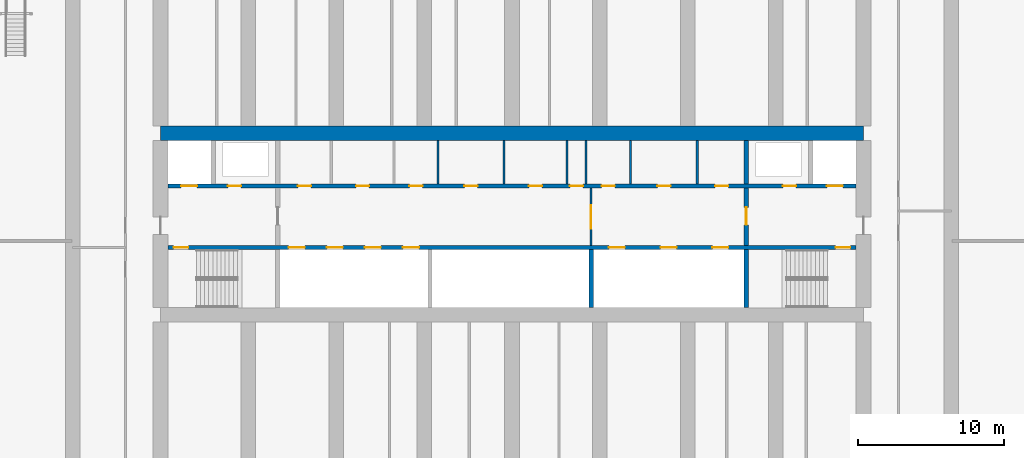
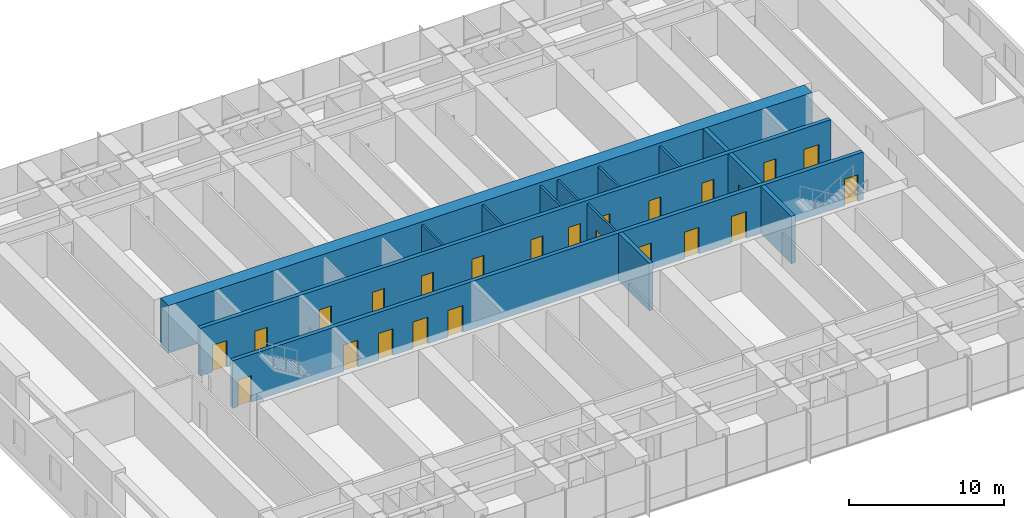
# One storey, part 15 of 26: 24 doors, 14 walls, 24 openings.
"""IFC4 building model written with IfcOpenShell, lengths in metres."""

import ifcopenshell
import ifcopenshell.guid

model = None  # the IFC model being written
_history = None  # IfcOwnerHistory: only IFC2X3 demands one
_inside = {}  # id of a spatial element -> (the spatial element, [elements in it])
_under = {}  # id of a project, library or spatial element -> (it, [spatial elements below it])
_declared = {}  # id of a project -> (the project, [libraries it declares])
_typed = {}  # id of a type object -> (the type object, [elements of that type])
_made_of = {}  # id of a material, layer set ... -> (it, [elements and type objects made of it])


def new_model(schema):
    """Start an empty IFC model of exactly this schema.

    Asked for "IFC4X3", IfcOpenShell would pick the latest addendum, in which some entities
    have other attributes; the version numbers below select the first issue.
    IFC2X3 requires an IfcOwnerHistory on every rooted entity: one is made here for all.
    """
    global model, _history
    if schema == "IFC4X3":
        model = ifcopenshell.file(schema_version=(4, 3, 0, 0))
    else:
        model = ifcopenshell.file(schema=schema)
    _inside.clear()
    _under.clear()
    _declared.clear()
    _typed.clear()
    _made_of.clear()
    _history = None
    if model.schema == "IFC2X3":
        org = make("IfcOrganization", Name="unknown")
        user = make(
            "IfcPersonAndOrganization",
            ThePerson=make("IfcPerson", FamilyName="unknown"),
            TheOrganization=org,
        )
        app = make(
            "IfcApplication",
            ApplicationDeveloper=org,
            Version="unknown",
            ApplicationFullName="unknown",
            ApplicationIdentifier="unknown",
        )
        _history = make(
            "IfcOwnerHistory",
            OwningUser=user,
            OwningApplication=app,
            ChangeAction="ADDED",
            CreationDate=0,
        )
    return model


def make(cls, **values):
    """One entity of the class cls with the attributes given. An attribute that is None is left unset."""
    return model.create_entity(
        cls, **{name: value for name, value in values.items() if value is not None}
    )


def rooted(cls, **values):
    """An entity with a GlobalId (a new one), such as an element, a storey or a relation."""
    return make(cls, GlobalId=ifcopenshell.guid.new(), OwnerHistory=_history, **values)


def si_unit(unit_type, name, prefix=None):
    """IfcSIUnit, for example si_unit("LENGTHUNIT", "METRE", prefix="MILLI")."""
    return make("IfcSIUnit", UnitType=unit_type, Prefix=prefix, Name=name)


def assignment(units):
    """IfcUnitAssignment: the units of a project."""
    return None if units is None else make("IfcUnitAssignment", Units=units)


def point(xyz):
    """IfcCartesianPoint."""
    return None if xyz is None else make("IfcCartesianPoint", Coordinates=xyz)


def direction(xyz):
    """IfcDirection."""
    return None if xyz is None else make("IfcDirection", DirectionRatios=xyz)


def frame(location, z_axis=None, x_axis=None):
    """IfcAxis2Placement3D, a coordinate frame: its origin and axes. An axis left out is left unset."""
    return make(
        "IfcAxis2Placement3D",
        Location=point(location),
        Axis=direction(z_axis),
        RefDirection=direction(x_axis),
    )


def frame_2d(location, x_axis=None):
    """IfcAxis2Placement2D, a coordinate frame in the plane: its origin and x axis."""
    return make(
        "IfcAxis2Placement2D", Location=point(location), RefDirection=direction(x_axis)
    )


def origin():
    """The frame at (0, 0, 0) with its axes left unset."""
    return frame((0.0, 0.0, 0.0))


def place(relative_to, where):
    """IfcLocalPlacement: puts the frame where relative to a parent placement (None: the world)."""
    return make(
        "IfcLocalPlacement", PlacementRelTo=relative_to, RelativePlacement=where
    )


def context(
    kind, dimensions, precision=None, world=None, true_north=None, identifier=None
):
    """IfcGeometricRepresentationContext, for example the 3D "Model" context."""
    return make(
        "IfcGeometricRepresentationContext",
        ContextIdentifier=identifier,
        ContextType=kind,
        CoordinateSpaceDimension=dimensions,
        Precision=precision,
        WorldCoordinateSystem=world,
        TrueNorth=true_north,
    )


def subcontext(parent, identifier, kind, view, scale=None):
    """IfcGeometricRepresentationSubContext, for example "Body" below "Model"."""
    return make(
        "IfcGeometricRepresentationSubContext",
        ContextIdentifier=identifier,
        ContextType=kind,
        ParentContext=parent,
        TargetScale=scale,
        TargetView=view,
    )


def project(units=None, contexts=None):
    """IfcProject with its units and contexts."""
    return rooted(
        "IfcProject",
        Name="project",
        RepresentationContexts=contexts,
        UnitsInContext=assignment(units),
    )


def spatial(cls, under=None, at=None, **own):
    """A site, building, storey or space (cls), placed at a placement, below another one or the project."""
    s = rooted(cls, ObjectPlacement=at, **own)
    if under is not None:
        _under.setdefault(under.id(), (under, []))[1].append(s)
    return s


def profile(cls, at=None, kind="AREA", **sizes):
    """A parametric profile (cls). Its sizes go by their IFC names, for example OverallWidth=200.0."""
    return make(cls, ProfileType=kind, Position=at, **sizes)


def rectangle(**sizes):
    """IfcRectangleProfileDef."""
    return profile("IfcRectangleProfileDef", **sizes)


def extrude(swept, where, along, depth):
    """IfcExtrudedAreaSolid: the profile swept, set in the frame where, extruded along a direction by depth."""
    return make(
        "IfcExtrudedAreaSolid",
        SweptArea=swept,
        Position=where,
        ExtrudedDirection=direction(along),
        Depth=depth,
    )


def shape(context_of_items, identifier, shape_type, items):
    """IfcShapeRepresentation: the items that make up one representation, for example the "Body"."""
    return make(
        "IfcShapeRepresentation",
        ContextOfItems=context_of_items,
        RepresentationIdentifier=identifier,
        RepresentationType=shape_type,
        Items=items,
    )


def material(Name=None, Category=None):
    """IfcMaterial."""
    return make("IfcMaterial", Name=Name, Category=Category)


def layer(
    of_material, thickness, ventilated=None, Name=None, Category=None, Priority=None
):
    """IfcMaterialLayer: one layer of a wall or slab, of a material (None: an air gap)."""
    return make(
        "IfcMaterialLayer",
        Material=of_material,
        LayerThickness=thickness,
        IsVentilated=ventilated,
        Name=Name,
        Category=Category,
        Priority=Priority,
    )


def layer_set(layers, Name=None):
    """IfcMaterialLayerSet."""
    return make("IfcMaterialLayerSet", MaterialLayers=layers, LayerSetName=Name)


def made_of(thing, what):
    """Note that an element or type object is made of a material, layer set ...; save() writes the relation."""
    if what is not None:
        _made_of.setdefault(what.id(), (what, []))[1].append(thing)
    return thing


def type_object(cls, material=None, **own):
    """A type object (cls), such as IfcWallType, which elements share."""
    return made_of(rooted(cls, **own), material)


def element(
    cls,
    number,
    at=None,
    inside=None,
    cuts=None,
    type_object=None,
    material=None,
    context=None,
    identifier="Body",
    shape_type=None,
    held_by="IfcProductDefinitionShape",
    body=None,
    shapes=None,
    **own,
):
    """One element of the class cls, such as IfcWall. Its Tag is "e" and its number.

    at: its placement. inside: the storey or other place that contains it. cuts: it is an
    opening in that element (IfcRelVoidsElement). A single representation is given by context,
    identifier, shape_type and body (its items); several are given by shapes. held_by: the class
    of the entity that holds the representations. save() writes the other relations.
    """
    e = rooted(cls, Tag="e%d" % number, ObjectPlacement=at, **own)
    if body is not None:
        shapes = [shape(context, identifier, shape_type, body)]
    if shapes is not None:
        e.Representation = make(held_by, Representations=shapes)
    if inside is not None:
        _inside.setdefault(inside.id(), (inside, []))[1].append(e)
    if cuts is not None:
        rooted(
            "IfcRelVoidsElement", RelatingBuildingElement=cuts, RelatedOpeningElement=e
        )
    if type_object is not None:
        _typed.setdefault(type_object.id(), (type_object, []))[1].append(e)
    return made_of(e, material)


def fill(opening, filler):
    """IfcRelFillsElement: the door or window that sits in an opening."""
    return rooted(
        "IfcRelFillsElement",
        RelatingOpeningElement=opening,
        RelatedBuildingElement=filler,
    )


def aggregate(whole, parts):
    """IfcRelAggregates: a whole, such as a stair, and the parts it consists of."""
    return rooted("IfcRelAggregates", RelatingObject=whole, RelatedObjects=parts)


def save(model, path):
    """Write the relations noted so far, then the file.

    IfcRelAggregates (storeys below a building ...), IfcRelContainedInSpatialStructure (elements
    in a storey), IfcRelDefinesByType, IfcRelAssociatesMaterial and IfcRelDeclares: one each for
    every whole, place, type object, material and project.
    """
    for whole, parts in _under.values():
        aggregate(whole, parts)
    for where, things in _inside.values():
        rooted(
            "IfcRelContainedInSpatialStructure",
            RelatedElements=things,
            RelatingStructure=where,
        )
    for kind, things in _typed.values():
        rooted("IfcRelDefinesByType", RelatedObjects=things, RelatingType=kind)
    for what, things in _made_of.values():
        rooted("IfcRelAssociatesMaterial", RelatedObjects=things, RelatingMaterial=what)
    for by, libraries in _declared.values():
        rooted("IfcRelDeclares", RelatingContext=by, RelatedDefinitions=libraries)
    model.write(path)


model = new_model("IFC4")

# Units and contexts
model_context = context("Model", 3, precision=1e-05, world=origin(), true_north=direction((0.0, 1.0)))
body_context = subcontext(model_context, "Body", "Model", "MODEL_VIEW")
ifc_project = project(units=[si_unit("LENGTHUNIT", "METRE"), si_unit("AREAUNIT", "SQUARE_METRE"), si_unit("VOLUMEUNIT", "CUBIC_METRE"), si_unit("PLANEANGLEUNIT", "RADIAN"), si_unit("MASSUNIT", "GRAM", prefix="KILO")], contexts=[model_context])

# Site, building, storey
site_placement = place(None, origin())
site = spatial("IfcSite", under=ifc_project, at=site_placement, CompositionType="ELEMENT")
building_placement = place(site_placement, origin())
building = spatial("IfcBuilding", under=site, at=building_placement, Name="Orbita Commons", CompositionType="ELEMENT")
storey_placement = place(building_placement, frame((0.0, 0.0, 53.949951171875)))
storey = spatial("IfcBuildingStorey", under=building, at=storey_placement, Name="L13", CompositionType="ELEMENT", Elevation=53.949951171875)

# Wall, openings, doors
ifc_material_1 = material(Name="Concrete C50/60", Category="concrete")
ifc_layer_1 = layer(ifc_material_1, 0.300048828125)
ifc_layer_set_1 = layer_set([ifc_layer_1], Name="Concrete C50/60")
wall_type_1 = type_object("IfcWallType", Name="Core inner wall 300 C50/60", PredefinedType="SHEAR", material=ifc_layer_set_1)
wall_1_placement = place(storey_placement, frame((18.5, 30.39990234375, 0.0), z_axis=(0.0, 0.0, 1.0), x_axis=(1.0, 0.0, 0.0)))
wall_1 = element("IfcWall", 1, at=wall_1_placement, inside=storey, type_object=wall_type_1, Name="Lobby wall south L13", PredefinedType="SHEAR", context=body_context, shape_type="SweptSolid", body=[
    extrude(rectangle(XDim=47.0, YDim=0.300048828125, at=frame_2d((23.5, 0.0))), origin(), (0.0, 0.0, 1.0), 3.75),
])
opening_1_placement = place(wall_1_placement, frame((0.39990234375, 0.0, 0.0)))
opening_1 = element("IfcOpeningElement", 2, at=opening_1_placement, cuts=wall_1, Name="Opening D02", PredefinedType="OPENING", context=body_context, shape_type="SweptSolid", body=[
    extrude(rectangle(XDim=1.0, YDim=2.10009765625, at=frame_2d((0.5, 1.050048828125))), frame((0.0, 0.159912109375, 0.0), z_axis=(0.0, -1.0, 0.0), x_axis=(1.0, 0.0, 0.0)), (0.0, 0.0, 1.0), 0.320068359375),
])
opening_2_placement = place(wall_1_placement, frame((45.60009765625, 0.0, 0.0)))
opening_2 = element("IfcOpeningElement", 3, at=opening_2_placement, cuts=wall_1, Name="Opening D02", PredefinedType="OPENING", context=body_context, shape_type="SweptSolid", body=[
    extrude(rectangle(XDim=1.0, YDim=2.10009765625, at=frame_2d((0.5, 1.050048828125))), frame((0.0, 0.159912109375, 0.0), z_axis=(0.0, -1.0, 0.0), x_axis=(1.0, 0.0, 0.0)), (0.0, 0.0, 1.0), 0.320068359375),
])
opening_3_placement = place(wall_1_placement, frame((8.25, 0.0, 0.0)))
opening_3 = element("IfcOpeningElement", 4, at=opening_3_placement, cuts=wall_1, Name="Opening LD02", PredefinedType="OPENING", context=body_context, shape_type="SweptSolid", body=[
    extrude(rectangle(XDim=1.10009765625, YDim=2.10009765625, at=frame_2d((0.550048828125, 1.050048828125))), frame((0.0, 0.159912109375, 0.0), z_axis=(0.0, -1.0, 0.0), x_axis=(1.0, 0.0, 0.0)), (0.0, 0.0, 1.0), 0.320068359375),
])
opening_4_placement = place(wall_1_placement, frame((10.85009765625, 0.0, 0.0)))
opening_4 = element("IfcOpeningElement", 5, at=opening_4_placement, cuts=wall_1, Name="Opening LD02", PredefinedType="OPENING", context=body_context, shape_type="SweptSolid", body=[
    extrude(rectangle(XDim=1.10009765625, YDim=2.10009765625, at=frame_2d((0.550048828125, 1.050048828125))), frame((0.0, 0.159912109375, 0.0), z_axis=(0.0, -1.0, 0.0), x_axis=(1.0, 0.0, 0.0)), (0.0, 0.0, 1.0), 0.320068359375),
])
opening_5_placement = place(wall_1_placement, frame((13.449951171875, 0.0, 0.0)))
opening_5 = element("IfcOpeningElement", 6, at=opening_5_placement, cuts=wall_1, Name="Opening LD02", PredefinedType="OPENING", context=body_context, shape_type="SweptSolid", body=[
    extrude(rectangle(XDim=1.10009765625, YDim=2.10009765625, at=frame_2d((0.550048828125, 1.050048828125))), frame((0.0, 0.159912109375, 0.0), z_axis=(0.0, -1.0, 0.0), x_axis=(1.0, 0.0, 0.0)), (0.0, 0.0, 1.0), 0.320068359375),
])
opening_6_placement = place(wall_1_placement, frame((16.050048828125, 0.0, 0.0)))
opening_6 = element("IfcOpeningElement", 7, at=opening_6_placement, cuts=wall_1, Name="Opening LD02", PredefinedType="OPENING", context=body_context, shape_type="SweptSolid", body=[
    extrude(rectangle(XDim=1.10009765625, YDim=2.10009765625, at=frame_2d((0.550048828125, 1.050048828125))), frame((0.0, 0.159912109375, 0.0), z_axis=(0.0, -1.0, 0.0), x_axis=(1.0, 0.0, 0.0)), (0.0, 0.0, 1.0), 0.320068359375),
])
opening_7_placement = place(wall_1_placement, frame((30.11669921875, 0.0, 0.0)))
opening_7 = element("IfcOpeningElement", 8, at=opening_7_placement, cuts=wall_1, Name="Opening LD02", PredefinedType="OPENING", context=body_context, shape_type="SweptSolid", body=[
    extrude(rectangle(XDim=1.10009765625, YDim=2.10009765625, at=frame_2d((0.550048828125, 1.050048828125))), frame((0.0, 0.159912109375, 0.0), z_axis=(0.0, -1.0, 0.0), x_axis=(1.0, 0.0, 0.0)), (0.0, 0.0, 1.0), 0.320068359375),
])
opening_8_placement = place(wall_1_placement, frame((33.64990234375, 0.0, 0.0)))
opening_8 = element("IfcOpeningElement", 9, at=opening_8_placement, cuts=wall_1, Name="Opening LD02", PredefinedType="OPENING", context=body_context, shape_type="SweptSolid", body=[
    extrude(rectangle(XDim=1.10009765625, YDim=2.10009765625, at=frame_2d((0.550048828125, 1.050048828125))), frame((0.0, 0.159912109375, 0.0), z_axis=(0.0, -1.0, 0.0), x_axis=(1.0, 0.0, 0.0)), (0.0, 0.0, 1.0), 0.320068359375),
])
opening_9_placement = place(wall_1_placement, frame((37.183349609375, 0.0, 0.0)))
opening_9 = element("IfcOpeningElement", 10, at=opening_9_placement, cuts=wall_1, Name="Opening LD02", PredefinedType="OPENING", context=body_context, shape_type="SweptSolid", body=[
    extrude(rectangle(XDim=1.10009765625, YDim=2.10009765625, at=frame_2d((0.550048828125, 1.050048828125))), frame((0.0, 0.159912109375, 0.0), z_axis=(0.0, -1.0, 0.0), x_axis=(1.0, 0.0, 0.0)), (0.0, 0.0, 1.0), 0.320068359375),
])
ifc_material_2 = material(Name="Steel-faced fire door leaf", Category="steel")
door_type_1 = type_object("IfcDoorType", Name="Fire door 90 min 1000x2100", OperationType="SINGLE_SWING_LEFT", PredefinedType="DOOR", material=ifc_material_2)
door_1_placement = place(opening_1_placement, origin())
door_1 = element("IfcDoor", 11, at=door_1_placement, inside=storey, type_object=door_type_1, Name="Stair S1 door", OperationType="SINGLE_SWING_LEFT", OverallHeight=2.10009765625, OverallWidth=1.0, PredefinedType="DOOR", context=body_context, shape_type="SweptSolid", body=[
    extrude(rectangle(XDim=1.0, YDim=2.10009765625, at=frame_2d((0.5, 1.050048828125))), frame((0.0, 0.02490234375, 0.0), z_axis=(0.0, -1.0, 0.0), x_axis=(1.0, 0.0, 0.0)), (0.0, 0.0, 1.0), 0.050048828125),
])
fill(opening_1, door_1)
door_2_placement = place(opening_2_placement, origin())
door_2 = element("IfcDoor", 12, at=door_2_placement, inside=storey, type_object=door_type_1, Name="Stair S2 door", OperationType="SINGLE_SWING_LEFT", OverallHeight=2.10009765625, OverallWidth=1.0, PredefinedType="DOOR", context=body_context, shape_type="SweptSolid", body=[
    extrude(rectangle(XDim=1.0, YDim=2.10009765625, at=frame_2d((0.5, 1.050048828125))), frame((0.0, 0.02490234375, 0.0), z_axis=(0.0, -1.0, 0.0), x_axis=(1.0, 0.0, 0.0)), (0.0, 0.0, 1.0), 0.050048828125),
])
fill(opening_2, door_2)
ifc_material_3 = material(Name="Steel-faced fire door leaf", Category="steel")
door_type_2 = type_object("IfcDoorType", Name="Lift landing door 1100x2100", OperationType="DOUBLE_DOOR_SLIDING", PredefinedType="DOOR", material=ifc_material_3)
door_3_placement = place(opening_3_placement, origin())
door_3 = element("IfcDoor", 13, at=door_3_placement, inside=storey, type_object=door_type_2, Name="Lift P11 landing door", OperationType="DOUBLE_DOOR_SLIDING", OverallHeight=2.10009765625, OverallWidth=1.10009765625, PredefinedType="DOOR", context=body_context, shape_type="SweptSolid", body=[
    extrude(rectangle(XDim=1.10009765625, YDim=2.10009765625, at=frame_2d((0.550048828125, 1.050048828125))), frame((0.0, 0.02490234375, 0.0), z_axis=(0.0, -1.0, 0.0), x_axis=(1.0, 0.0, 0.0)), (0.0, 0.0, 1.0), 0.050048828125),
])
fill(opening_3, door_3)
door_4_placement = place(opening_4_placement, origin())
door_4 = element("IfcDoor", 14, at=door_4_placement, inside=storey, type_object=door_type_2, Name="Lift P12 landing door", OperationType="DOUBLE_DOOR_SLIDING", OverallHeight=2.10009765625, OverallWidth=1.10009765625, PredefinedType="DOOR", context=body_context, shape_type="SweptSolid", body=[
    extrude(rectangle(XDim=1.10009765625, YDim=2.10009765625, at=frame_2d((0.550048828125, 1.050048828125))), frame((0.0, 0.02490234375, 0.0), z_axis=(0.0, -1.0, 0.0), x_axis=(1.0, 0.0, 0.0)), (0.0, 0.0, 1.0), 0.050048828125),
])
fill(opening_4, door_4)
door_5_placement = place(opening_5_placement, origin())
door_5 = element("IfcDoor", 15, at=door_5_placement, inside=storey, type_object=door_type_2, Name="Lift P13 landing door", OperationType="DOUBLE_DOOR_SLIDING", OverallHeight=2.10009765625, OverallWidth=1.10009765625, PredefinedType="DOOR", context=body_context, shape_type="SweptSolid", body=[
    extrude(rectangle(XDim=1.10009765625, YDim=2.10009765625, at=frame_2d((0.550048828125, 1.050048828125))), frame((0.0, 0.02490234375, 0.0), z_axis=(0.0, -1.0, 0.0), x_axis=(1.0, 0.0, 0.0)), (0.0, 0.0, 1.0), 0.050048828125),
])
fill(opening_5, door_5)
door_6_placement = place(opening_6_placement, origin())
door_6 = element("IfcDoor", 16, at=door_6_placement, inside=storey, type_object=door_type_2, Name="Lift P14 landing door", OperationType="DOUBLE_DOOR_SLIDING", OverallHeight=2.10009765625, OverallWidth=1.10009765625, PredefinedType="DOOR", context=body_context, shape_type="SweptSolid", body=[
    extrude(rectangle(XDim=1.10009765625, YDim=2.10009765625, at=frame_2d((0.550048828125, 1.050048828125))), frame((0.0, 0.02490234375, 0.0), z_axis=(0.0, -1.0, 0.0), x_axis=(1.0, 0.0, 0.0)), (0.0, 0.0, 1.0), 0.050048828125),
])
fill(opening_6, door_6)
door_7_placement = place(opening_7_placement, origin())
door_7 = element("IfcDoor", 17, at=door_7_placement, inside=storey, type_object=door_type_2, Name="Lift SV1 landing door", OperationType="DOUBLE_DOOR_SLIDING", OverallHeight=2.10009765625, OverallWidth=1.10009765625, PredefinedType="DOOR", context=body_context, shape_type="SweptSolid", body=[
    extrude(rectangle(XDim=1.10009765625, YDim=2.10009765625, at=frame_2d((0.550048828125, 1.050048828125))), frame((0.0, 0.02490234375, 0.0), z_axis=(0.0, -1.0, 0.0), x_axis=(1.0, 0.0, 0.0)), (0.0, 0.0, 1.0), 0.050048828125),
])
fill(opening_7, door_7)
door_8_placement = place(opening_8_placement, origin())
door_8 = element("IfcDoor", 18, at=door_8_placement, inside=storey, type_object=door_type_2, Name="Lift SV2 landing door", OperationType="DOUBLE_DOOR_SLIDING", OverallHeight=2.10009765625, OverallWidth=1.10009765625, PredefinedType="DOOR", context=body_context, shape_type="SweptSolid", body=[
    extrude(rectangle(XDim=1.10009765625, YDim=2.10009765625, at=frame_2d((0.550048828125, 1.050048828125))), frame((0.0, 0.02490234375, 0.0), z_axis=(0.0, -1.0, 0.0), x_axis=(1.0, 0.0, 0.0)), (0.0, 0.0, 1.0), 0.050048828125),
])
fill(opening_8, door_8)
door_9_placement = place(opening_9_placement, origin())
door_9 = element("IfcDoor", 19, at=door_9_placement, inside=storey, type_object=door_type_2, Name="Lift SV3 landing door", OperationType="DOUBLE_DOOR_SLIDING", OverallHeight=2.10009765625, OverallWidth=1.10009765625, PredefinedType="DOOR", context=body_context, shape_type="SweptSolid", body=[
    extrude(rectangle(XDim=1.10009765625, YDim=2.10009765625, at=frame_2d((0.550048828125, 1.050048828125))), frame((0.0, 0.02490234375, 0.0), z_axis=(0.0, -1.0, 0.0), x_axis=(1.0, 0.0, 0.0)), (0.0, 0.0, 1.0), 0.050048828125),
])
fill(opening_9, door_9)

wall_2_placement = place(storey_placement, frame((18.5, 34.60009765625, 0.0), z_axis=(0.0, 0.0, 1.0), x_axis=(1.0, 0.0, 0.0)))
wall_2 = element("IfcWall", 20, at=wall_2_placement, inside=storey, type_object=wall_type_1, Name="Lobby wall north L13", PredefinedType="SHEAR", context=body_context, shape_type="SweptSolid", body=[
    extrude(rectangle(XDim=47.0, YDim=0.300048828125, at=frame_2d((23.5, 0.0))), origin(), (0.0, 0.0, 1.0), 3.75),
])
opening_10_placement = place(wall_2_placement, frame((0.89990234375, 0.0, 0.0)))
opening_10 = element("IfcOpeningElement", 21, at=opening_10_placement, cuts=wall_2, Name="Opening LD01", PredefinedType="OPENING", context=body_context, shape_type="SweptSolid", body=[
    extrude(rectangle(XDim=1.10009765625, YDim=2.10009765625, at=frame_2d((0.550048828125, 1.050048828125))), frame((0.0, 0.159912109375, 0.0), z_axis=(0.0, -1.0, 0.0), x_axis=(1.0, 0.0, 0.0)), (0.0, 0.0, 1.0), 0.320068359375),
])
opening_11_placement = place(wall_2_placement, frame((45.0, 0.0, 0.0)))
opening_11 = element("IfcOpeningElement", 22, at=opening_11_placement, cuts=wall_2, Name="Opening LD01", PredefinedType="OPENING", context=body_context, shape_type="SweptSolid", body=[
    extrude(rectangle(XDim=1.10009765625, YDim=2.10009765625, at=frame_2d((0.550048828125, 1.050048828125))), frame((0.0, 0.159912109375, 0.0), z_axis=(0.0, -1.0, 0.0), x_axis=(1.0, 0.0, 0.0)), (0.0, 0.0, 1.0), 0.320068359375),
])
opening_12_placement = place(wall_2_placement, frame((4.10009765625, 0.0, 0.0)))
opening_12 = element("IfcOpeningElement", 23, at=opening_12_placement, cuts=wall_2, Name="Opening D03", PredefinedType="OPENING", context=body_context, shape_type="SweptSolid", body=[
    extrude(rectangle(XDim=0.89990234375, YDim=2.10009765625, at=frame_2d((0.449951171875, 1.050048828125))), frame((0.0, 0.159912109375, 0.0), z_axis=(0.0, -1.0, 0.0), x_axis=(1.0, 0.0, 0.0)), (0.0, 0.0, 1.0), 0.320068359375),
])
opening_13_placement = place(wall_2_placement, frame((42.0, 0.0, 0.0)))
opening_13 = element("IfcOpeningElement", 24, at=opening_13_placement, cuts=wall_2, Name="Opening D03", PredefinedType="OPENING", context=body_context, shape_type="SweptSolid", body=[
    extrude(rectangle(XDim=0.89990234375, YDim=2.10009765625, at=frame_2d((0.449951171875, 1.050048828125))), frame((0.0, 0.159912109375, 0.0), z_axis=(0.0, -1.0, 0.0), x_axis=(1.0, 0.0, 0.0)), (0.0, 0.0, 1.0), 0.320068359375),
])
opening_14_placement = place(wall_2_placement, frame((8.87548828125, 0.0, 0.0)))
opening_14 = element("IfcOpeningElement", 25, at=opening_14_placement, cuts=wall_2, Name="Opening D03", PredefinedType="OPENING", context=body_context, shape_type="SweptSolid", body=[
    extrude(rectangle(XDim=0.89990234375, YDim=2.10009765625, at=frame_2d((0.449951171875, 1.050048828125))), frame((0.0, 0.159912109375, 0.0), z_axis=(0.0, -1.0, 0.0), x_axis=(1.0, 0.0, 0.0)), (0.0, 0.0, 1.0), 0.320068359375),
])
opening_15_placement = place(wall_2_placement, frame((12.8486328125, 0.0, 0.0)))
opening_15 = element("IfcOpeningElement", 26, at=opening_15_placement, cuts=wall_2, Name="Opening D03", PredefinedType="OPENING", context=body_context, shape_type="SweptSolid", body=[
    extrude(rectangle(XDim=0.89990234375, YDim=2.10009765625, at=frame_2d((0.449951171875, 1.050048828125))), frame((0.0, 0.159912109375, 0.0), z_axis=(0.0, -1.0, 0.0), x_axis=(1.0, 0.0, 0.0)), (0.0, 0.0, 1.0), 0.320068359375),
])
opening_16_placement = place(wall_2_placement, frame((16.496337890625, 0.0, 0.0)))
opening_16 = element("IfcOpeningElement", 27, at=opening_16_placement, cuts=wall_2, Name="Opening D03", PredefinedType="OPENING", context=body_context, shape_type="SweptSolid", body=[
    extrude(rectangle(XDim=0.89990234375, YDim=2.10009765625, at=frame_2d((0.449951171875, 1.050048828125))), frame((0.0, 0.159912109375, 0.0), z_axis=(0.0, -1.0, 0.0), x_axis=(1.0, 0.0, 0.0)), (0.0, 0.0, 1.0), 0.320068359375),
])
opening_17_placement = place(wall_2_placement, frame((20.254638671875, 0.0, 0.0)))
opening_17 = element("IfcOpeningElement", 28, at=opening_17_placement, cuts=wall_2, Name="Opening D05", PredefinedType="OPENING", context=body_context, shape_type="SweptSolid", body=[
    extrude(rectangle(XDim=0.89990234375, YDim=2.10009765625, at=frame_2d((0.449951171875, 1.050048828125))), frame((0.0, 0.159912109375, 0.0), z_axis=(0.0, -1.0, 0.0), x_axis=(1.0, 0.0, 0.0)), (0.0, 0.0, 1.0), 0.320068359375),
])
opening_18_placement = place(wall_2_placement, frame((24.66064453125, 0.0, 0.0)))
opening_18 = element("IfcOpeningElement", 29, at=opening_18_placement, cuts=wall_2, Name="Opening D03", PredefinedType="OPENING", context=body_context, shape_type="SweptSolid", body=[
    extrude(rectangle(XDim=0.89990234375, YDim=2.10009765625, at=frame_2d((0.449951171875, 1.050048828125))), frame((0.0, 0.159912109375, 0.0), z_axis=(0.0, -1.0, 0.0), x_axis=(1.0, 0.0, 0.0)), (0.0, 0.0, 1.0), 0.320068359375),
])
opening_19_placement = place(wall_2_placement, frame((27.45849609375, 0.0, 0.0)))
opening_19 = element("IfcOpeningElement", 30, at=opening_19_placement, cuts=wall_2, Name="Opening D03", PredefinedType="OPENING", context=body_context, shape_type="SweptSolid", body=[
    extrude(rectangle(XDim=0.89990234375, YDim=2.10009765625, at=frame_2d((0.449951171875, 1.050048828125))), frame((0.0, 0.159912109375, 0.0), z_axis=(0.0, -1.0, 0.0), x_axis=(1.0, 0.0, 0.0)), (0.0, 0.0, 1.0), 0.320068359375),
])
opening_20_placement = place(wall_2_placement, frame((29.628173828125, 0.0, 0.0)))
opening_20 = element("IfcOpeningElement", 31, at=opening_20_placement, cuts=wall_2, Name="Opening D05", PredefinedType="OPENING", context=body_context, shape_type="SweptSolid", body=[
    extrude(rectangle(XDim=0.89990234375, YDim=2.10009765625, at=frame_2d((0.449951171875, 1.050048828125))), frame((0.0, 0.159912109375, 0.0), z_axis=(0.0, -1.0, 0.0), x_axis=(1.0, 0.0, 0.0)), (0.0, 0.0, 1.0), 0.320068359375),
])
opening_21_placement = place(wall_2_placement, frame((33.42724609375, 0.0, 0.0)))
opening_21 = element("IfcOpeningElement", 32, at=opening_21_placement, cuts=wall_2, Name="Opening D05", PredefinedType="OPENING", context=body_context, shape_type="SweptSolid", body=[
    extrude(rectangle(XDim=0.89990234375, YDim=2.10009765625, at=frame_2d((0.449951171875, 1.050048828125))), frame((0.0, 0.159912109375, 0.0), z_axis=(0.0, -1.0, 0.0), x_axis=(1.0, 0.0, 0.0)), (0.0, 0.0, 1.0), 0.320068359375),
])
opening_22_placement = place(wall_2_placement, frame((37.37841796875, 0.0, 0.0)))
opening_22 = element("IfcOpeningElement", 33, at=opening_22_placement, cuts=wall_2, Name="Opening D03", PredefinedType="OPENING", context=body_context, shape_type="SweptSolid", body=[
    extrude(rectangle(XDim=0.89990234375, YDim=2.10009765625, at=frame_2d((0.449951171875, 1.050048828125))), frame((0.0, 0.159912109375, 0.0), z_axis=(0.0, -1.0, 0.0), x_axis=(1.0, 0.0, 0.0)), (0.0, 0.0, 1.0), 0.320068359375),
])
ifc_material_4 = material(Name="Steel-faced fire door leaf", Category="steel")
door_type_3 = type_object("IfcDoorType", Name="Firefighting lift landing door 1100x2100", OperationType="DOUBLE_DOOR_SLIDING", PredefinedType="DOOR", material=ifc_material_4)
door_10_placement = place(opening_10_placement, origin())
door_10 = element("IfcDoor", 34, at=door_10_placement, inside=storey, type_object=door_type_3, Name="Firefighting lift FL1 landing door", OperationType="DOUBLE_DOOR_SLIDING", OverallHeight=2.10009765625, OverallWidth=1.10009765625, PredefinedType="DOOR", context=body_context, shape_type="SweptSolid", body=[
    extrude(rectangle(XDim=1.10009765625, YDim=2.10009765625, at=frame_2d((0.550048828125, 1.050048828125))), frame((0.0, 0.02490234375, 0.0), z_axis=(0.0, -1.0, 0.0), x_axis=(1.0, 0.0, 0.0)), (0.0, 0.0, 1.0), 0.050048828125),
])
fill(opening_10, door_10)
door_11_placement = place(opening_11_placement, origin())
door_11 = element("IfcDoor", 35, at=door_11_placement, inside=storey, type_object=door_type_3, Name="Firefighting lift FL2 landing door", OperationType="DOUBLE_DOOR_SLIDING", OverallHeight=2.10009765625, OverallWidth=1.10009765625, PredefinedType="DOOR", context=body_context, shape_type="SweptSolid", body=[
    extrude(rectangle(XDim=1.10009765625, YDim=2.10009765625, at=frame_2d((0.550048828125, 1.050048828125))), frame((0.0, 0.02490234375, 0.0), z_axis=(0.0, -1.0, 0.0), x_axis=(1.0, 0.0, 0.0)), (0.0, 0.0, 1.0), 0.050048828125),
])
fill(opening_11, door_11)
ifc_material_5 = material(Name="Steel-faced fire door leaf", Category="steel")
door_type_4 = type_object("IfcDoorType", Name="Service door 20 min 900x2100", OperationType="SINGLE_SWING_LEFT", PredefinedType="DOOR", material=ifc_material_5)
door_12_placement = place(opening_17_placement, origin())
door_12 = element("IfcDoor", 36, at=door_12_placement, inside=storey, type_object=door_type_4, Name="Accessible WC door", OperationType="SINGLE_SWING_LEFT", OverallHeight=2.10009765625, OverallWidth=0.89990234375, PredefinedType="DOOR", context=body_context, shape_type="SweptSolid", body=[
    extrude(rectangle(XDim=0.89990234375, YDim=2.10009765625, at=frame_2d((0.449951171875, 1.050048828125))), frame((0.0, 0.02490234375, 0.0), z_axis=(0.0, -1.0, 0.0), x_axis=(1.0, 0.0, 0.0)), (0.0, 0.0, 1.0), 0.050048828125),
])
fill(opening_17, door_12)
door_13_placement = place(opening_20_placement, origin())
door_13 = element("IfcDoor", 37, at=door_13_placement, inside=storey, type_object=door_type_4, Name="Staff WC door", OperationType="SINGLE_SWING_LEFT", OverallHeight=2.10009765625, OverallWidth=0.89990234375, PredefinedType="DOOR", context=body_context, shape_type="SweptSolid", body=[
    extrude(rectangle(XDim=0.89990234375, YDim=2.10009765625, at=frame_2d((0.449951171875, 1.050048828125))), frame((0.0, 0.02490234375, 0.0), z_axis=(0.0, -1.0, 0.0), x_axis=(1.0, 0.0, 0.0)), (0.0, 0.0, 1.0), 0.050048828125),
])
fill(opening_20, door_13)
door_14_placement = place(opening_21_placement, origin())
door_14 = element("IfcDoor", 38, at=door_14_placement, inside=storey, type_object=door_type_4, Name="Vending and ice room door", OperationType="SINGLE_SWING_LEFT", OverallHeight=2.10009765625, OverallWidth=0.89990234375, PredefinedType="DOOR", context=body_context, shape_type="SweptSolid", body=[
    extrude(rectangle(XDim=0.89990234375, YDim=2.10009765625, at=frame_2d((0.449951171875, 1.050048828125))), frame((0.0, 0.02490234375, 0.0), z_axis=(0.0, -1.0, 0.0), x_axis=(1.0, 0.0, 0.0)), (0.0, 0.0, 1.0), 0.050048828125),
])
fill(opening_21, door_14)
ifc_material_6 = material(Name="Steel-faced fire door leaf", Category="steel")
door_type_5 = type_object("IfcDoorType", Name="Shaft access door 90 min 900x2100", OperationType="SINGLE_SWING_LEFT", PredefinedType="DOOR", material=ifc_material_6)
door_15_placement = place(opening_12_placement, origin())
door_15 = element("IfcDoor", 39, at=door_15_placement, inside=storey, type_object=door_type_5, Name="Riser door west", OperationType="SINGLE_SWING_LEFT", OverallHeight=2.10009765625, OverallWidth=0.89990234375, PredefinedType="DOOR", context=body_context, shape_type="SweptSolid", body=[
    extrude(rectangle(XDim=0.89990234375, YDim=2.10009765625, at=frame_2d((0.449951171875, 1.050048828125))), frame((0.0, 0.02490234375, 0.0), z_axis=(0.0, -1.0, 0.0), x_axis=(1.0, 0.0, 0.0)), (0.0, 0.0, 1.0), 0.050048828125),
])
fill(opening_12, door_15)
door_16_placement = place(opening_13_placement, origin())
door_16 = element("IfcDoor", 40, at=door_16_placement, inside=storey, type_object=door_type_5, Name="Riser door east", OperationType="SINGLE_SWING_LEFT", OverallHeight=2.10009765625, OverallWidth=0.89990234375, PredefinedType="DOOR", context=body_context, shape_type="SweptSolid", body=[
    extrude(rectangle(XDim=0.89990234375, YDim=2.10009765625, at=frame_2d((0.449951171875, 1.050048828125))), frame((0.0, 0.02490234375, 0.0), z_axis=(0.0, -1.0, 0.0), x_axis=(1.0, 0.0, 0.0)), (0.0, 0.0, 1.0), 0.050048828125),
])
fill(opening_13, door_16)
door_17_placement = place(opening_14_placement, origin())
door_17 = element("IfcDoor", 41, at=door_17_placement, inside=storey, type_object=door_type_5, Name="Cleaners store door", OperationType="SINGLE_SWING_LEFT", OverallHeight=2.10009765625, OverallWidth=0.89990234375, PredefinedType="DOOR", context=body_context, shape_type="SweptSolid", body=[
    extrude(rectangle(XDim=0.89990234375, YDim=2.10009765625, at=frame_2d((0.449951171875, 1.050048828125))), frame((0.0, 0.02490234375, 0.0), z_axis=(0.0, -1.0, 0.0), x_axis=(1.0, 0.0, 0.0)), (0.0, 0.0, 1.0), 0.050048828125),
])
fill(opening_14, door_17)
door_18_placement = place(opening_15_placement, origin())
door_18 = element("IfcDoor", 42, at=door_18_placement, inside=storey, type_object=door_type_5, Name="Refuse chute room door", OperationType="SINGLE_SWING_LEFT", OverallHeight=2.10009765625, OverallWidth=0.89990234375, PredefinedType="DOOR", context=body_context, shape_type="SweptSolid", body=[
    extrude(rectangle(XDim=0.89990234375, YDim=2.10009765625, at=frame_2d((0.449951171875, 1.050048828125))), frame((0.0, 0.02490234375, 0.0), z_axis=(0.0, -1.0, 0.0), x_axis=(1.0, 0.0, 0.0)), (0.0, 0.0, 1.0), 0.050048828125),
])
fill(opening_15, door_18)
door_19_placement = place(opening_16_placement, origin())
door_19 = element("IfcDoor", 43, at=door_19_placement, inside=storey, type_object=door_type_5, Name="Electrical riser room door", OperationType="SINGLE_SWING_LEFT", OverallHeight=2.10009765625, OverallWidth=0.89990234375, PredefinedType="DOOR", context=body_context, shape_type="SweptSolid", body=[
    extrude(rectangle(XDim=0.89990234375, YDim=2.10009765625, at=frame_2d((0.449951171875, 1.050048828125))), frame((0.0, 0.02490234375, 0.0), z_axis=(0.0, -1.0, 0.0), x_axis=(1.0, 0.0, 0.0)), (0.0, 0.0, 1.0), 0.050048828125),
])
fill(opening_16, door_19)
door_20_placement = place(opening_18_placement, origin())
door_20 = element("IfcDoor", 44, at=door_20_placement, inside=storey, type_object=door_type_5, Name="Communications room door", OperationType="SINGLE_SWING_LEFT", OverallHeight=2.10009765625, OverallWidth=0.89990234375, PredefinedType="DOOR", context=body_context, shape_type="SweptSolid", body=[
    extrude(rectangle(XDim=0.89990234375, YDim=2.10009765625, at=frame_2d((0.449951171875, 1.050048828125))), frame((0.0, 0.02490234375, 0.0), z_axis=(0.0, -1.0, 0.0), x_axis=(1.0, 0.0, 0.0)), (0.0, 0.0, 1.0), 0.050048828125),
])
fill(opening_18, door_20)
door_21_placement = place(opening_19_placement, origin())
door_21 = element("IfcDoor", 45, at=door_21_placement, inside=storey, type_object=door_type_5, Name="Stair pressurisation duct door", OperationType="SINGLE_SWING_LEFT", OverallHeight=2.10009765625, OverallWidth=0.89990234375, PredefinedType="DOOR", context=body_context, shape_type="SweptSolid", body=[
    extrude(rectangle(XDim=0.89990234375, YDim=2.10009765625, at=frame_2d((0.449951171875, 1.050048828125))), frame((0.0, 0.02490234375, 0.0), z_axis=(0.0, -1.0, 0.0), x_axis=(1.0, 0.0, 0.0)), (0.0, 0.0, 1.0), 0.050048828125),
])
fill(opening_19, door_21)
door_22_placement = place(opening_22_placement, origin())
door_22 = element("IfcDoor", 46, at=door_22_placement, inside=storey, type_object=door_type_5, Name="Housekeeping store door", OperationType="SINGLE_SWING_LEFT", OverallHeight=2.10009765625, OverallWidth=0.89990234375, PredefinedType="DOOR", context=body_context, shape_type="SweptSolid", body=[
    extrude(rectangle(XDim=0.89990234375, YDim=2.10009765625, at=frame_2d((0.449951171875, 1.050048828125))), frame((0.0, 0.02490234375, 0.0), z_axis=(0.0, -1.0, 0.0), x_axis=(1.0, 0.0, 0.0)), (0.0, 0.0, 1.0), 0.050048828125),
])
fill(opening_22, door_22)

# Wall
wall_3_placement = place(storey_placement, frame((58.0, 26.300048828125, 0.0), z_axis=(0.0, 0.0, 1.0), x_axis=(0.0, 1.0, 0.0)))
element("IfcWall", 47, at=wall_3_placement, inside=storey, type_object=wall_type_1, Name="Stair S2 wall L13", PredefinedType="SHEAR", context=body_context, shape_type="SweptSolid", body=[
    extrude(rectangle(XDim=3.949951171875, YDim=0.300048828125, at=frame_2d((1.97509765625, 0.0))), origin(), (0.0, 0.0, 1.0), 3.75),
])

# Wall, opening, door
wall_4_placement = place(storey_placement, frame((58.0, 30.550048828125, 0.0), z_axis=(0.0, 0.0, 1.0), x_axis=(0.0, 1.0, 0.0)))
wall_4 = element("IfcWall", 48, at=wall_4_placement, inside=storey, type_object=wall_type_1, Name="Firefighting lobby wall east L13", PredefinedType="SHEAR", context=body_context, shape_type="SweptSolid", body=[
    extrude(rectangle(XDim=3.89990234375, YDim=0.300048828125, at=frame_2d((1.949951171875, 0.0))), origin(), (0.0, 0.0, 1.0), 3.75),
])
opening_23_placement = place(wall_4_placement, frame((1.39990234375, 0.0, 0.0)))
opening_23 = element("IfcOpeningElement", 49, at=opening_23_placement, cuts=wall_4, Name="Opening D04", PredefinedType="OPENING", context=body_context, shape_type="SweptSolid", body=[
    extrude(rectangle(XDim=1.199951171875, YDim=2.10009765625, at=frame_2d((0.60009765625, 1.050048828125))), frame((0.0, 0.159912109375, 0.0), z_axis=(0.0, -1.0, 0.0), x_axis=(1.0, 0.0, 0.0)), (0.0, 0.0, 1.0), 0.320068359375),
])
ifc_material_7 = material(Name="Steel-faced fire door leaf", Category="steel")
door_type_6 = type_object("IfcDoorType", Name="Service door 20 min 1200x2100", OperationType="SINGLE_SWING_LEFT", PredefinedType="DOOR", material=ifc_material_7)
door_23_placement = place(opening_23_placement, origin())
door_23 = element("IfcDoor", 50, at=door_23_placement, inside=storey, type_object=door_type_6, Name="Lift lobby door east", OperationType="SINGLE_SWING_LEFT", OverallHeight=2.10009765625, OverallWidth=1.199951171875, PredefinedType="DOOR", context=body_context, shape_type="SweptSolid", body=[
    extrude(rectangle(XDim=1.199951171875, YDim=2.10009765625, at=frame_2d((0.60009765625, 1.050048828125))), frame((0.0, 0.02490234375, 0.0), z_axis=(0.0, -1.0, 0.0), x_axis=(1.0, 0.0, 0.0)), (0.0, 0.0, 1.0), 0.050048828125),
])
fill(opening_23, door_23)

# Walls
wall_5_placement = place(storey_placement, frame((58.0, 34.75, 0.0), z_axis=(0.0, 0.0, 1.0), x_axis=(0.0, 1.0, 0.0)))
element("IfcWall", 51, at=wall_5_placement, inside=storey, type_object=wall_type_1, Name="Riser wall east L13", PredefinedType="SHEAR", context=body_context, shape_type="SweptSolid", body=[
    extrude(rectangle(XDim=2.949951171875, YDim=0.300048828125, at=frame_2d((1.47509765625, 0.0))), origin(), (0.0, 0.0, 1.0), 3.75),
])
wall_6_placement = place(storey_placement, frame((47.39990234375, 26.300048828125, 0.0), z_axis=(0.0, 0.0, 1.0), x_axis=(0.0, 1.0, 0.0)))
element("IfcWall", 52, at=wall_6_placement, inside=storey, type_object=wall_type_1, Name="Hoistway division wall L13", PredefinedType="SHEAR", context=body_context, shape_type="SweptSolid", body=[
    extrude(rectangle(XDim=3.949951171875, YDim=0.300048828125, at=frame_2d((1.97509765625, 0.0))), origin(), (0.0, 0.0, 1.0), 3.75),
])

# Wall, opening, door
ifc_material_8 = material(Name="Concrete blockwork", Category="masonry")
ifc_layer_2 = layer(ifc_material_8, 0.14990234375)
ifc_layer_set_2 = layer_set([ifc_layer_2], Name="Concrete blockwork")
wall_type_2 = type_object("IfcWallType", Name="Core partition 150 blockwork", PredefinedType="SOLIDWALL", material=ifc_layer_set_2)
wall_7_placement = place(storey_placement, frame((47.39990234375, 30.550048828125, 0.0), z_axis=(0.0, 0.0, 1.0), x_axis=(0.0, 1.0, 0.0)))
wall_7 = element("IfcWall", 53, at=wall_7_placement, inside=storey, type_object=wall_type_2, Name="Core partition 150 blockwork L13", PredefinedType="SOLIDWALL", context=body_context, shape_type="SweptSolid", body=[
    extrude(rectangle(XDim=3.89990234375, YDim=0.14990234375, at=frame_2d((1.949951171875, 0.0))), origin(), (0.0, 0.0, 1.0), 3.5),
])
opening_24_placement = place(wall_7_placement, frame((1.14990234375, 0.0, 0.0)))
opening_24 = element("IfcOpeningElement", 54, at=opening_24_placement, cuts=wall_7, Name="Opening D10", PredefinedType="OPENING", context=body_context, shape_type="SweptSolid", body=[
    extrude(rectangle(XDim=1.60009765625, YDim=2.10009765625, at=frame_2d((0.800048828125, 1.050048828125))), frame((0.0, 0.0849609375, 0.0), z_axis=(0.0, -1.0, 0.0), x_axis=(1.0, 0.0, 0.0)), (0.0, 0.0, 1.0), 0.169921875),
])
ifc_material_9 = material(Name="Steel-faced fire door leaf", Category="steel")
door_type_7 = type_object("IfcDoorType", Name="Double corridor door 20 min 1600x2100", OperationType="DOUBLE_DOOR_SINGLE_SWING", PredefinedType="DOOR", material=ifc_material_9)
door_24_placement = place(opening_24_placement, origin())
door_24 = element("IfcDoor", 55, at=door_24_placement, inside=storey, type_object=door_type_7, Name="Lift lobby screen doors", OperationType="DOUBLE_DOOR_SINGLE_SWING", OverallHeight=2.10009765625, OverallWidth=1.60009765625, PredefinedType="DOOR", context=body_context, shape_type="SweptSolid", body=[
    extrude(rectangle(XDim=1.60009765625, YDim=2.10009765625, at=frame_2d((0.800048828125, 1.050048828125))), frame((0.0, 0.02490234375, 0.0), z_axis=(0.0, -1.0, 0.0), x_axis=(1.0, 0.0, 0.0)), (0.0, 0.0, 1.0), 0.050048828125),
])
fill(opening_24, door_24)

# Walls
for number, where, z_axis, x_axis, name in (
    (56, (36.9462890625, 34.75, 0.0), (0.0, 0.0, 1.0), (0.0, 1.0, 0.0), "Core partition 150 blockwork L13"),
    (57, (41.463134765625, 34.75, 0.0), (0.0, 0.0, 1.0), (0.0, 1.0, 0.0), "Core partition 150 blockwork L13"),
    (58, (45.75830078125, 34.75, 0.0), (0.0, 0.0, 1.0), (0.0, 1.0, 0.0), "Core partition 150 blockwork L13"),
    (59, (47.058349609375, 34.75, 0.0), (0.0, 0.0, 1.0), (0.0, 1.0, 0.0), "Core partition 150 blockwork L13"),
    (60, (50.09765625, 34.75, 0.0), (0.0, 0.0, 1.0), (0.0, 1.0, 0.0), "Core partition 150 blockwork L13"),
    (61, (54.65673828125, 34.75, 0.0), (0.0, 0.0, 1.0), (0.0, 1.0, 0.0), "Core partition 150 blockwork L13"),
):
    element("IfcWall", number, at=place(storey_placement, frame(where, z_axis=z_axis, x_axis=x_axis)), inside=storey, type_object=wall_type_2, Name=name, PredefinedType="SOLIDWALL", context=body_context, shape_type="SweptSolid", body=[
        extrude(rectangle(XDim=2.949951171875, YDim=0.14990234375, at=frame_2d((1.47509765625, 0.0))), origin(), (0.0, 0.0, 1.0), 3.5),
    ])
ifc_material_10 = material(Name="Concrete C50/60", Category="concrete")
ifc_layer_3 = layer(ifc_material_10, 1.0)
ifc_layer_set_3 = layer_set([ifc_layer_3], Name="Concrete C50/60")
wall_type_3 = type_object("IfcWallType", Name="Core wall 1000 C50/60", PredefinedType="SHEAR", material=ifc_layer_set_3)
wall_8_placement = place(storey_placement, frame((18.0, 38.199951171875, 0.0), z_axis=(0.0, 0.0, 1.0), x_axis=(1.0, 0.0, 0.0)))
element("IfcWall", 62, at=wall_8_placement, inside=storey, type_object=wall_type_3, Name="Core spine wall north L13", PredefinedType="SHEAR", context=body_context, shape_type="SweptSolid", body=[
    extrude(rectangle(XDim=48.0, YDim=1.0, at=frame_2d((24.0, 0.0))), origin(), (0.0, 0.0, 1.0), 3.75),
])

save(model, "model.ifc")
